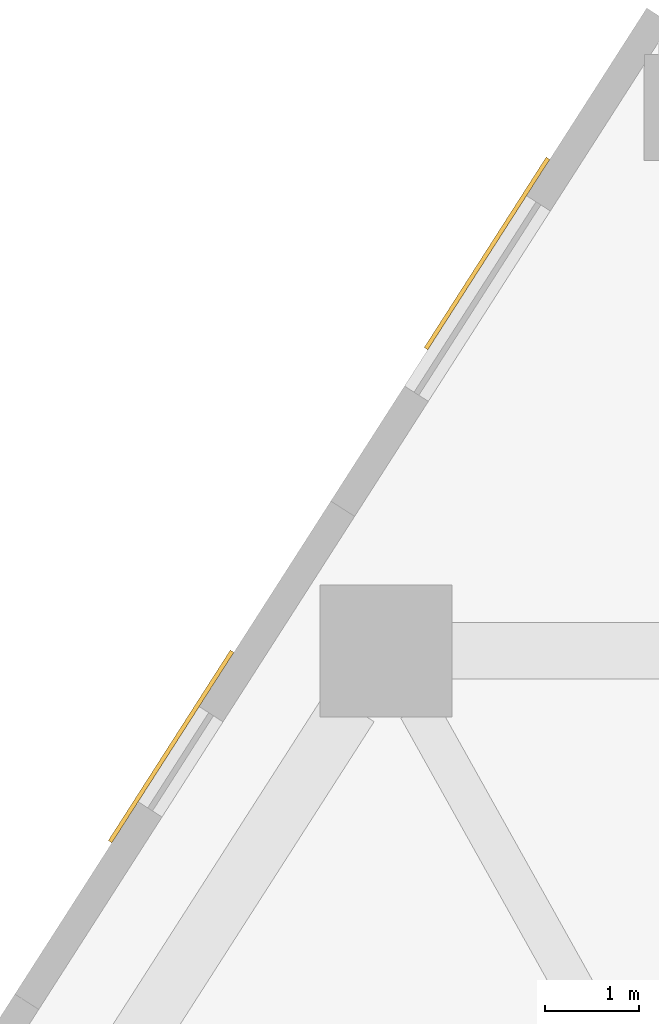
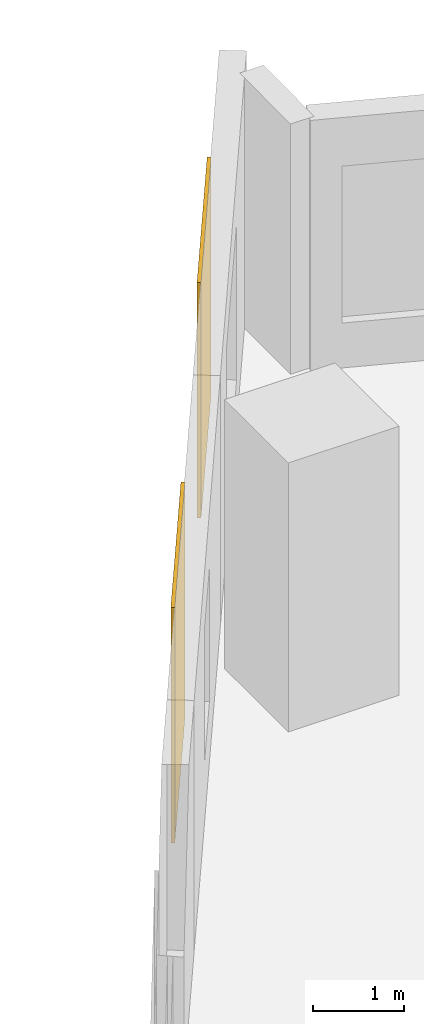
# One storey, part 13 of 13: 2 coverings.
"""IFC4 building model written with IfcOpenShell, lengths in metres."""

from ifc_helpers import new_model, si_unit, direction, frame, origin, origin_2d, place, context, subcontext, project, spatial, rectangle, extrude, material, layer, layer_set, type_object, element, save


model = new_model("IFC4")

# Units and contexts
model_context = context("Model", 3, precision=1e-05, world=origin(), true_north=direction((0.0, 1.0)))
body_context = subcontext(model_context, "Body", "Model", "MODEL_VIEW")
ifc_project = project(units=[si_unit("LENGTHUNIT", "METRE"), si_unit("AREAUNIT", "SQUARE_METRE"), si_unit("VOLUMEUNIT", "CUBIC_METRE"), si_unit("PLANEANGLEUNIT", "RADIAN"), si_unit("MASSUNIT", "GRAM", prefix="KILO")], contexts=[model_context])

# Site, building, storey
site_placement = place(None, origin())
site = spatial("IfcSite", under=ifc_project, at=site_placement, CompositionType="ELEMENT")
building_placement = place(site_placement, origin())
building = spatial("IfcBuilding", under=site, at=building_placement, Name="Almagre Mirador Tower", CompositionType="ELEMENT")
storey_placement = place(building_placement, frame((0.0, 0.0, 57.0)))
storey = spatial("IfcBuildingStorey", under=building, at=storey_placement, Name="L13", CompositionType="ELEMENT", Elevation=57.0)

# Coverings
ifc_material = material(Name="Almagre terracotta architectural cladding", Category="masonry")
ifc_layer = layer(ifc_material, 0.044921875)
ifc_layer_set = layer_set([ifc_layer], Name="Almagre terracotta architectural cladding")
covering_type = type_object("IfcCoveringType", Name="COV-CLAD-ALMAGRE", PredefinedType="CLADDING", material=ifc_layer_set)
for number, where, z_axis, x_axis, name in (
    (1, (28.320556640625, 37.266357421875, 0.10009765625), (0.0, 0.0, 1.0), (0.539505758171, 0.841981910079, 0.0), "L13 almagre terracotta pier cladding"),
    (2, (31.67333984375, 42.498779296875, 0.10009765625), (0.0, 0.0, 1.0), (0.539505758171, 0.841981910079, 0.0), "L13 almagre terracotta pier cladding"),
):
    element("IfcCovering", number, at=place(storey_placement, frame(where, z_axis=z_axis, x_axis=x_axis)), inside=storey, type_object=covering_type, Name=name, PredefinedType="CLADDING", context=body_context, shape_type="SweptSolid", body=[
        extrude(rectangle(XDim=2.39990234375, YDim=0.044921875, at=origin_2d()), origin(), (0.0, 0.0, 1.0), 3.14990234375),
    ])

save(model, "model.ifc")
